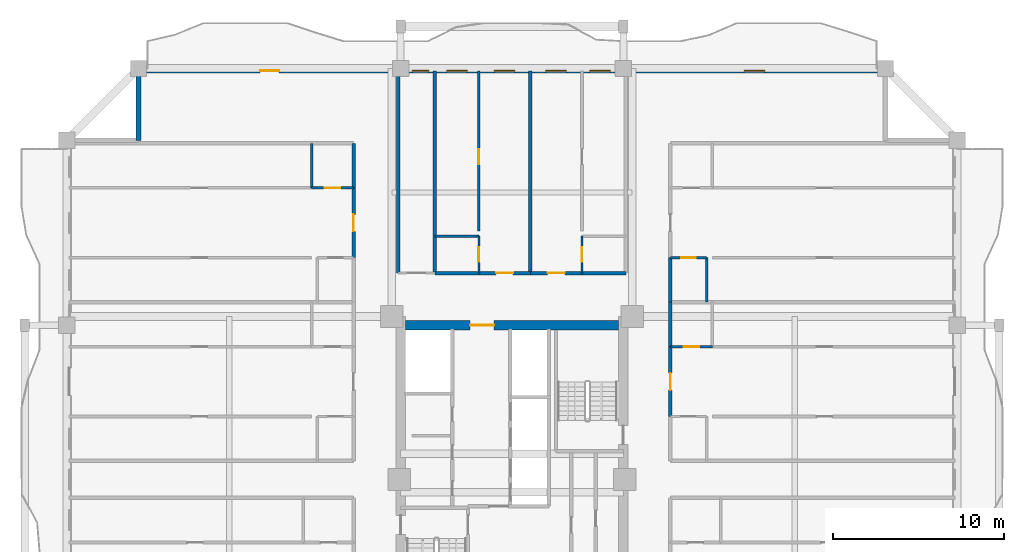
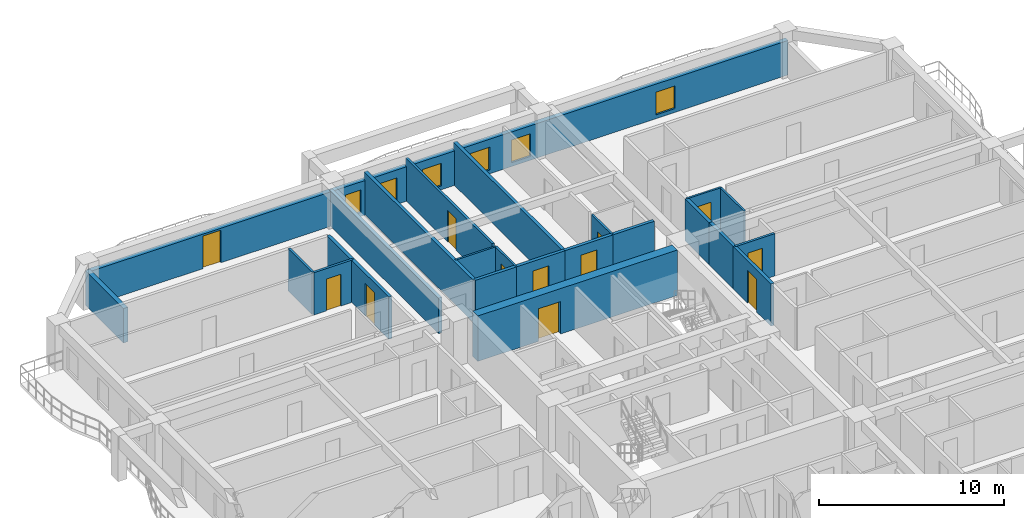
# One storey, part 7 of 13: 24 walls, 12 doors, 6 windows, 18 openings.
"""IFC4 building model written with IfcOpenShell, lengths in metres."""

from ifc_helpers import new_model, si_unit, direction, frame, frame_2d, origin, place, context, subcontext, project, spatial, rectangle, extrude, source, transform, mapped, material, layer, layer_set, type_object, element, fill, save


model = new_model("IFC4")

# Units and contexts
model_context = context("Model", 3, precision=1e-05, world=origin(), true_north=direction((0.0, 1.0)))
body_context = subcontext(model_context, "Body", "Model", "MODEL_VIEW")
ifc_project = project(units=[si_unit("LENGTHUNIT", "METRE"), si_unit("AREAUNIT", "SQUARE_METRE"), si_unit("VOLUMEUNIT", "CUBIC_METRE"), si_unit("PLANEANGLEUNIT", "RADIAN"), si_unit("MASSUNIT", "GRAM", prefix="KILO")], contexts=[model_context])

# Site, building, storey
site_placement = place(None, origin())
site = spatial("IfcSite", under=ifc_project, at=site_placement, CompositionType="ELEMENT")
building_placement = place(site_placement, origin())
building = spatial("IfcBuilding", under=site, at=building_placement, Name="Saelheon Loggia Tower", CompositionType="ELEMENT")
storey_placement = place(building_placement, frame((0.0, 0.0, 110.85009765625)))
storey = spatial("IfcBuildingStorey", under=building, at=storey_placement, Name="L35", CompositionType="ELEMENT", Elevation=110.85009765625)

# Wall, opening, door
ifc_material_1 = material(Name="Concrete C50/60", Category="concrete")
ifc_layer_1 = layer(ifc_material_1, 0.550048828125)
ifc_layer_set_1 = layer_set([ifc_layer_1], Name="Concrete C50/60")
wall_type_1 = type_object("IfcWallType", Name="Wall_CoreShear_550", PredefinedType="SHEAR", material=ifc_layer_set_1)
wall_1_placement = place(storey_placement, frame((31.77490234375, 36.0, 0.0), z_axis=(0.0, 0.0, 1.0), x_axis=(1.0, 0.0, 0.0)))
wall_1 = element("IfcWall", 1, at=wall_1_placement, inside=storey, type_object=wall_type_1, Name="L35 Core Shear Wall North", PredefinedType="SHEAR", context=body_context, shape_type="SweptSolid", body=[
    extrude(rectangle(XDim=12.4501953125, YDim=0.550048828125, at=frame_2d((6.22509765625, 0.0))), origin(), (0.0, 0.0, 1.0), 3.0),
])
opening_1_placement = place(wall_1_placement, frame((5.1748046875, 0.0, 0.0), z_axis=(0.0, 0.0, 1.0), x_axis=(-1.0, 0.0, 0.0)))
opening_1 = element("IfcOpeningElement", 2, at=opening_1_placement, cuts=wall_1, Name="Opening D-FD2L", PredefinedType="OPENING", context=body_context, shape_type="SweptSolid", body=[
    extrude(rectangle(XDim=1.39990234375, YDim=2.14990234375, at=frame_2d((0.699951171875, 1.074951171875))), frame((0.0, 0.287109375, 0.0), z_axis=(0.0, -1.0, 0.0), x_axis=(1.0, 0.0, 0.0)), (0.0, 0.0, 1.0), 0.573974609375),
])
ifc_material_2 = material(Name="Galvanised Steel Glazed Lobby Fire Door", Category="steel")
door_type_1 = type_object("IfcDoorType", Name="Door_Fire_FD60_1400", OperationType="NOTDEFINED", PredefinedType="DOOR", material=ifc_material_2)
shared_shape_1 = source(origin(), body_context, "Body", "SweptSolid", [
    extrude(rectangle(XDim=1.39990234375, YDim=2.14990234375, at=frame_2d((0.699951171875, 1.074951171875))), frame((0.0, 0.02490234375, 0.0), z_axis=(0.0, -1.0, 0.0), x_axis=(1.0, 0.0, 0.0)), (0.0, 0.0, 1.0), 0.050048828125),
])
door_1_placement = place(opening_1_placement, origin())
door_1 = element("IfcDoor", 3, at=door_1_placement, inside=storey, type_object=door_type_1, Name="L35 Passenger Lift Lobby Main Door", OperationType="SINGLE_SWING_RIGHT", OverallHeight=2.14990234375, OverallWidth=1.39990234375, PredefinedType="DOOR", context=body_context, shape_type="MappedRepresentation", body=[
    mapped(shared_shape_1, transform((0.0, 0.0, 0.0), scale=1.0)),
])
fill(opening_1, door_1)

# Wall, openings, windows, door
ifc_material_3 = material(Name="Architectural Precast Concrete C40/50", Category="concrete")
ifc_layer_2 = layer(ifc_material_3, 0.280029296875)
ifc_layer_set_2 = layer_set([ifc_layer_2], Name="Architectural Precast Concrete C40/50")
wall_type_2 = type_object("IfcWallType", Name="Wall_Ext_Loggia_280", PredefinedType="SOLIDWALL", material=ifc_layer_set_2)
wall_2_placement = place(storey_placement, frame((16.199951171875, 50.860107421875, 0.0), z_axis=(0.0, 0.0, 1.0), x_axis=(1.0, 0.0, 0.0)))
wall_2 = element("IfcWall", 4, at=wall_2_placement, inside=storey, type_object=wall_type_2, Name="L35 North Loggia Inner Wall", PredefinedType="SOLIDWALL", context=body_context, shape_type="SweptSolid", body=[
    extrude(rectangle(XDim=43.60009765625, YDim=0.280029296875, at=frame_2d((21.800048828125, 0.0))), origin(), (0.0, 0.0, 1.0), 2.27978515625),
])
opening_2_placement = place(wall_2_placement, frame((7.10009765625, 0.0, 0.0)))
opening_2 = element("IfcOpeningElement", 5, at=opening_2_placement, cuts=wall_2, Name="Opening TD1", PredefinedType="OPENING", context=body_context, shape_type="SweptSolid", body=[
    extrude(rectangle(XDim=1.10009765625, YDim=2.14990234375, at=frame_2d((0.550048828125, 1.074951171875))), frame((0.0, 0.152099609375, 0.0), z_axis=(0.0, -1.0, 0.0), x_axis=(1.0, 0.0, 0.0)), (0.0, 0.0, 1.0), 0.303955078125),
])
opening_3_placement = place(wall_2_placement, frame((15.982421875, 0.0, 0.25)))
opening_3 = element("IfcOpeningElement", 6, at=opening_3_placement, cuts=wall_2, Name="Opening WN-04", PredefinedType="OPENING", context=body_context, shape_type="SweptSolid", body=[
    extrude(rectangle(XDim=0.949951171875, YDim=1.5, at=frame_2d((0.47509765625, 0.75))), frame((0.0, 0.152099609375, 0.0), z_axis=(0.0, -1.0, 0.0), x_axis=(1.0, 0.0, 0.0)), (0.0, 0.0, 1.0), 0.303955078125),
])
opening_4_placement = place(wall_2_placement, frame((17.982421875, 0.0, 0.25)))
opening_4 = element("IfcOpeningElement", 7, at=opening_4_placement, cuts=wall_2, Name="Opening WN-03", PredefinedType="OPENING", context=body_context, shape_type="SweptSolid", body=[
    extrude(rectangle(XDim=1.199951171875, YDim=1.5, at=frame_2d((0.60009765625, 0.75))), frame((0.0, 0.152099609375, 0.0), z_axis=(0.0, -1.0, 0.0), x_axis=(1.0, 0.0, 0.0)), (0.0, 0.0, 1.0), 0.303955078125),
])
opening_5_placement = place(wall_2_placement, frame((20.769775390625, 0.0, 0.25)))
opening_5 = element("IfcOpeningElement", 8, at=opening_5_placement, cuts=wall_2, Name="Opening WN-03", PredefinedType="OPENING", context=body_context, shape_type="SweptSolid", body=[
    extrude(rectangle(XDim=1.199951171875, YDim=1.5, at=frame_2d((0.60009765625, 0.75))), frame((0.0, 0.152099609375, 0.0), z_axis=(0.0, -1.0, 0.0), x_axis=(1.0, 0.0, 0.0)), (0.0, 0.0, 1.0), 0.303955078125),
])
opening_6_placement = place(wall_2_placement, frame((23.7802734375, 0.0, 0.25)))
opening_6 = element("IfcOpeningElement", 9, at=opening_6_placement, cuts=wall_2, Name="Opening WN-03", PredefinedType="OPENING", context=body_context, shape_type="SweptSolid", body=[
    extrude(rectangle(XDim=1.199951171875, YDim=1.5, at=frame_2d((0.60009765625, 0.75))), frame((0.0, 0.152099609375, 0.0), z_axis=(0.0, -1.0, 0.0), x_axis=(1.0, 0.0, 0.0)), (0.0, 0.0, 1.0), 0.303955078125),
])
opening_7_placement = place(wall_2_placement, frame((26.335205078125, 0.0, 0.25)))
opening_7 = element("IfcOpeningElement", 10, at=opening_7_placement, cuts=wall_2, Name="Opening WN-03", PredefinedType="OPENING", context=body_context, shape_type="SweptSolid", body=[
    extrude(rectangle(XDim=1.199951171875, YDim=1.5, at=frame_2d((0.60009765625, 0.75))), frame((0.0, 0.152099609375, 0.0), z_axis=(0.0, -1.0, 0.0), x_axis=(1.0, 0.0, 0.0)), (0.0, 0.0, 1.0), 0.303955078125),
])
opening_8_placement = place(wall_2_placement, frame((35.35009765625, 0.0, 0.25)))
opening_8 = element("IfcOpeningElement", 11, at=opening_8_placement, cuts=wall_2, Name="Opening WN-03", PredefinedType="OPENING", context=body_context, shape_type="SweptSolid", body=[
    extrude(rectangle(XDim=1.199951171875, YDim=1.5, at=frame_2d((0.60009765625, 0.75))), frame((0.0, 0.152099609375, 0.0), z_axis=(0.0, -1.0, 0.0), x_axis=(1.0, 0.0, 0.0)), (0.0, 0.0, 1.0), 0.303955078125),
])
ifc_material_4 = material(Name="Thermal-Break Aluminium and Triple Low-E Glass", Category="aluminium")
window_type_1 = type_object("IfcWindowType", Name="Win_Bedroom_1200x1500", PartitioningType="SINGLE_PANEL", PredefinedType="WINDOW", material=ifc_material_4)
shared_shape_2 = source(origin(), body_context, "Body", "SweptSolid", [
    extrude(rectangle(XDim=1.199951171875, YDim=1.5, at=frame_2d((0.60009765625, 0.75))), frame((0.0, 0.030029296875, 0.0), z_axis=(0.0, -1.0, 0.0), x_axis=(1.0, 0.0, 0.0)), (0.0, 0.0, 1.0), 0.06005859375),
])
window_1_placement = place(opening_4_placement, origin())
window_1 = element("IfcWindow", 12, at=window_1_placement, inside=storey, type_object=window_type_1, Name="L35 N Dwelling Window 3", OverallHeight=1.5, OverallWidth=1.199951171875, PartitioningType="SINGLE_PANEL", PredefinedType="WINDOW", context=body_context, shape_type="MappedRepresentation", body=[
    mapped(shared_shape_2, transform((0.0, 0.0, 0.0), scale=1.0)),
])
fill(opening_4, window_1)
window_2_placement = place(opening_5_placement, origin())
window_2 = element("IfcWindow", 13, at=window_2_placement, inside=storey, type_object=window_type_1, Name="L35 N Dwelling Window 4", OverallHeight=1.5, OverallWidth=1.199951171875, PartitioningType="SINGLE_PANEL", PredefinedType="WINDOW", context=body_context, shape_type="MappedRepresentation", body=[
    mapped(shared_shape_2, transform((0.0, 0.0, 0.0), scale=1.0)),
])
fill(opening_5, window_2)
window_3_placement = place(opening_6_placement, origin())
window_3 = element("IfcWindow", 14, at=window_3_placement, inside=storey, type_object=window_type_1, Name="L35 N Dwelling Window 5", OverallHeight=1.5, OverallWidth=1.199951171875, PartitioningType="SINGLE_PANEL", PredefinedType="WINDOW", context=body_context, shape_type="MappedRepresentation", body=[
    mapped(shared_shape_2, transform((0.0, 0.0, 0.0), scale=1.0)),
])
fill(opening_6, window_3)
window_4_placement = place(opening_7_placement, origin())
window_4 = element("IfcWindow", 15, at=window_4_placement, inside=storey, type_object=window_type_1, Name="L35 N Dwelling Window 6", OverallHeight=1.5, OverallWidth=1.199951171875, PartitioningType="SINGLE_PANEL", PredefinedType="WINDOW", context=body_context, shape_type="MappedRepresentation", body=[
    mapped(shared_shape_2, transform((0.0, 0.0, 0.0), scale=1.0)),
])
fill(opening_7, window_4)
window_5_placement = place(opening_8_placement, origin())
window_5 = element("IfcWindow", 16, at=window_5_placement, inside=storey, type_object=window_type_1, Name="L35 N Dwelling Window 7", OverallHeight=1.5, OverallWidth=1.199951171875, PartitioningType="SINGLE_PANEL", PredefinedType="WINDOW", context=body_context, shape_type="MappedRepresentation", body=[
    mapped(shared_shape_2, transform((0.0, 0.0, 0.0), scale=1.0)),
])
fill(opening_8, window_5)
ifc_material_5 = material(Name="Thermal-Break Aluminium Glazed Door", Category="aluminium")
door_type_2 = type_object("IfcDoorType", Name="Door_Terrace_TD1", OperationType="NOTDEFINED", PredefinedType="DOOR", material=ifc_material_5)
shared_shape_3 = source(origin(), body_context, "Body", "SweptSolid", [
    extrude(rectangle(XDim=1.10009765625, YDim=2.14990234375, at=frame_2d((0.550048828125, 1.074951171875))), frame((0.0, 0.02490234375, 0.0), z_axis=(0.0, -1.0, 0.0), x_axis=(1.0, 0.0, 0.0)), (0.0, 0.0, 1.0), 0.050048828125),
])
door_2_placement = place(opening_2_placement, origin())
door_2 = element("IfcDoor", 17, at=door_2_placement, inside=storey, type_object=door_type_2, Name="L35 N Loggia Access Door", OperationType="SINGLE_SWING_LEFT", OverallHeight=2.14990234375, OverallWidth=1.10009765625, PredefinedType="DOOR", context=body_context, shape_type="MappedRepresentation", body=[
    mapped(shared_shape_3, transform((0.0, 0.0, 0.0), scale=1.0)),
])
fill(opening_2, door_2)
window_type_2 = type_object("IfcWindowType", Name="Win_Narrow_950x1500", PartitioningType="SINGLE_PANEL", PredefinedType="WINDOW", material=ifc_material_4)
shared_shape_4 = source(origin(), body_context, "Body", "SweptSolid", [
    extrude(rectangle(XDim=0.949951171875, YDim=1.5, at=frame_2d((0.47509765625, 0.75))), frame((0.0, 0.030029296875, 0.0), z_axis=(0.0, -1.0, 0.0), x_axis=(1.0, 0.0, 0.0)), (0.0, 0.0, 1.0), 0.06005859375),
])
window_6_placement = place(opening_3_placement, origin())
window_6 = element("IfcWindow", 18, at=window_6_placement, inside=storey, type_object=window_type_2, Name="L35 N Dwelling Window 2", OverallHeight=1.5, OverallWidth=0.949951171875, PartitioningType="SINGLE_PANEL", PredefinedType="WINDOW", context=body_context, shape_type="MappedRepresentation", body=[
    mapped(shared_shape_4, transform((0.0, 0.0, 0.0), scale=1.0)),
])
fill(opening_3, window_6)

# Wall
wall_3_placement = place(storey_placement, frame((16.199951171875, 46.800048828125, 0.0), z_axis=(0.0, 0.0, 1.0), x_axis=(0.0, 1.0, 0.0)))
element("IfcWall", 19, at=wall_3_placement, inside=storey, type_object=wall_type_2, Name="L35 Corner Notch Precast Wall NW1", PredefinedType="SOLIDWALL", context=body_context, shape_type="SweptSolid", body=[
    extrude(rectangle(XDim=4.119873046875, YDim=0.280029296875, at=frame_2d((2.06005859375, 0.0))), origin(), (0.0, 0.0, 1.0), 2.27978515625),
])

# Wall, opening, door
ifc_material_6 = material(Name="Lightweight Autoclaved Aerated Concrete Block and Acoustic Gypsum", Category="concrete")
ifc_layer_3 = layer(ifc_material_6, 0.14990234375)
ifc_layer_set_3 = layer_set([ifc_layer_3], Name="Lightweight Autoclaved Aerated Concrete Block and Acoustic Gypsum")
wall_type_3 = type_object("IfcWallType", Name="Wall_Part_150", PredefinedType="PARTITIONING", material=ifc_layer_set_3)
wall_4_placement = place(storey_placement, frame((36.064453125, 41.5, 0.0), z_axis=(0.0, 0.0, 1.0), x_axis=(0.0, 1.0, 0.0)))
wall_4 = element("IfcWall", 20, at=wall_4_placement, inside=storey, type_object=wall_type_3, Name="L35 N Partition U09", PredefinedType="PARTITIONING", context=body_context, shape_type="SweptSolid", body=[
    extrude(rectangle(XDim=9.35009765625, YDim=0.14990234375, at=frame_2d((4.675048828125, 0.0))), origin(), (0.0, 0.0, 1.0), 2.789794921875),
])
opening_9_placement = place(wall_4_placement, frame((3.892822265625, 0.0, 0.0)))
opening_9 = element("IfcOpeningElement", 21, at=opening_9_placement, cuts=wall_4, Name="Opening D-IN2", PredefinedType="OPENING", context=body_context, shape_type="SweptSolid", body=[
    extrude(rectangle(XDim=0.89990234375, YDim=2.10009765625, at=frame_2d((0.449951171875, 1.050048828125))), frame((0.0, 0.0869140625, 0.0), z_axis=(0.0, -1.0, 0.0), x_axis=(1.0, 0.0, 0.0)), (0.0, 0.0, 1.0), 0.173828125),
])
ifc_material_7 = material(Name="Engineered Oak Flush Door", Category="timber")
door_type_3 = type_object("IfcDoorType", Name="Door_Int_900", OperationType="NOTDEFINED", PredefinedType="DOOR", material=ifc_material_7)
shared_shape_5 = source(origin(), body_context, "Body", "SweptSolid", [
    extrude(rectangle(XDim=0.89990234375, YDim=2.10009765625, at=frame_2d((0.449951171875, 1.050048828125))), frame((0.0, 0.02490234375, 0.0), z_axis=(0.0, -1.0, 0.0), x_axis=(1.0, 0.0, 0.0)), (0.0, 0.0, 1.0), 0.050048828125),
])
door_3_placement = place(opening_9_placement, origin())
door_3 = element("IfcDoor", 22, at=door_3_placement, inside=storey, type_object=door_type_3, Name="Unit U04 Kitchen Door", OperationType="SINGLE_SWING_RIGHT", OverallHeight=2.10009765625, OverallWidth=0.89990234375, PredefinedType="DOOR", context=body_context, shape_type="MappedRepresentation", body=[
    mapped(shared_shape_5, transform((0.0, 0.0, 0.0), scale=1.0)),
])
fill(opening_9, door_3)

# Wall
wall_5_placement = place(storey_placement, frame((26.300048828125, 44.02001953125, 0.0), z_axis=(0.0, 0.0, 1.0), x_axis=(0.0, 1.0, 0.0)))
element("IfcWall", 23, at=wall_5_placement, inside=storey, type_object=wall_type_3, Name="L35 WN Partition V17", PredefinedType="PARTITIONING", context=body_context, shape_type="SweptSolid", body=[
    extrude(rectangle(XDim=2.60009765625, YDim=0.14990234375, at=frame_2d((1.300048828125, 0.0))), origin(), (0.0, 0.0, 1.0), 2.789794921875),
])

# Wall, opening, door
wall_6_placement = place(storey_placement, frame((28.75, 44.02001953125, 0.0), z_axis=(0.0, 0.0, 1.0), x_axis=(-1.0, 0.0, 0.0)))
wall_6 = element("IfcWall", 24, at=wall_6_placement, inside=storey, type_object=wall_type_3, Name="L35 WN Partition U20", PredefinedType="PARTITIONING", context=body_context, shape_type="SweptSolid", body=[
    extrude(rectangle(XDim=2.449951171875, YDim=0.14990234375, at=frame_2d((1.22509765625, 0.0))), origin(), (0.0, 0.0, 1.0), 2.789794921875),
])
opening_10_placement = place(wall_6_placement, frame((0.77490234375, 0.0, 0.0)))
opening_10 = element("IfcOpeningElement", 25, at=opening_10_placement, cuts=wall_6, Name="Opening D-IN2", PredefinedType="OPENING", context=body_context, shape_type="SweptSolid", body=[
    extrude(rectangle(XDim=0.89990234375, YDim=2.10009765625, at=frame_2d((0.449951171875, 1.050048828125))), frame((0.0, 0.0869140625, 0.0), z_axis=(0.0, -1.0, 0.0), x_axis=(1.0, 0.0, 0.0)), (0.0, 0.0, 1.0), 0.173828125),
])
door_4_placement = place(opening_10_placement, origin())
door_4 = element("IfcDoor", 26, at=door_4_placement, inside=storey, type_object=door_type_3, Name="Unit U09 Dressing Closet Door", OperationType="SINGLE_SWING_RIGHT", OverallHeight=2.10009765625, OverallWidth=0.89990234375, PredefinedType="DOOR", context=body_context, shape_type="MappedRepresentation", body=[
    mapped(shared_shape_5, transform((0.0, 0.0, 0.0), scale=1.0)),
])
fill(opening_10, door_4)

wall_7_placement = place(storey_placement, frame((47.25, 34.75, 0.0), z_axis=(0.0, 0.0, 1.0), x_axis=(1.0, 0.0, 0.0)))
wall_7 = element("IfcWall", 27, at=wall_7_placement, inside=storey, type_object=wall_type_3, Name="L35 EN Partition U10", PredefinedType="PARTITIONING", context=body_context, shape_type="SweptSolid", body=[
    extrude(rectangle(XDim=2.449951171875, YDim=0.14990234375, at=frame_2d((1.22509765625, 0.0))), origin(), (0.0, 0.0, 1.0), 2.789794921875),
])
opening_11_placement = place(wall_7_placement, frame((0.77490234375, 0.0, 0.0)))
opening_11 = element("IfcOpeningElement", 28, at=opening_11_placement, cuts=wall_7, Name="Opening D-IN2", PredefinedType="OPENING", context=body_context, shape_type="SweptSolid", body=[
    extrude(rectangle(XDim=0.89990234375, YDim=2.10009765625, at=frame_2d((0.449951171875, 1.050048828125))), frame((0.0, 0.0869140625, 0.0), z_axis=(0.0, -1.0, 0.0), x_axis=(1.0, 0.0, 0.0)), (0.0, 0.0, 1.0), 0.173828125),
])
door_5_placement = place(opening_11_placement, origin())
door_5 = element("IfcDoor", 29, at=door_5_placement, inside=storey, type_object=door_type_3, Name="Unit U12 Dressing Closet Door", OperationType="SINGLE_SWING_LEFT", OverallHeight=2.10009765625, OverallWidth=0.89990234375, PredefinedType="DOOR", context=body_context, shape_type="MappedRepresentation", body=[
    mapped(shared_shape_5, transform((0.0, 0.0, 0.0), scale=1.0)),
])
fill(opening_11, door_5)

# Walls
ifc_material_8 = material(Name="Double Acoustic Stud and Fireboard Partition", Category="gypsum")
ifc_layer_4 = layer(ifc_material_8, 0.199951171875)
ifc_layer_set_4 = layer_set([ifc_layer_4], Name="Double Acoustic Stud and Fireboard Partition")
wall_type_4 = type_object("IfcWallType", Name="Wall_Party_200", PredefinedType="PARTITIONING", material=ifc_layer_set_4)
wall_8_placement = place(storey_placement, frame((31.35009765625, 39.050048828125, 0.0), z_axis=(0.0, 0.0, 1.0), x_axis=(0.0, 1.0, 0.0)))
element("IfcWall", 30, at=wall_8_placement, inside=storey, type_object=wall_type_4, Name="L35 N Partition U01", PredefinedType="PARTITIONING", context=body_context, shape_type="SweptSolid", body=[
    extrude(rectangle(XDim=11.800048828125, YDim=0.199951171875, at=frame_2d((5.89990234375, 0.0))), origin(), (0.0, 0.0, 1.0), 2.33984375),
])
wall_9_placement = place(storey_placement, frame((33.5, 39.050048828125, 0.0), z_axis=(0.0, 0.0, 1.0), x_axis=(0.0, 1.0, 0.0)))
element("IfcWall", 31, at=wall_9_placement, inside=storey, type_object=wall_type_4, Name="L35 N Partition U03", PredefinedType="PARTITIONING", context=body_context, shape_type="SweptSolid", body=[
    extrude(rectangle(XDim=11.800048828125, YDim=0.199951171875, at=frame_2d((5.89990234375, 0.0))), origin(), (0.0, 0.0, 1.0), 2.789794921875),
])
wall_10_placement = place(storey_placement, frame((33.5, 39.050048828125, 0.0), z_axis=(0.0, 0.0, 1.0), x_axis=(1.0, 0.0, 0.0)))
element("IfcWall", 32, at=wall_10_placement, inside=storey, type_object=wall_type_4, Name="L35 N Partition V05", PredefinedType="PARTITIONING", context=body_context, shape_type="SweptSolid", body=[
    extrude(rectangle(XDim=2.564453125, YDim=0.199951171875, at=frame_2d((1.2822265625, 0.0))), origin(), (0.0, 0.0, 1.0), 2.789794921875),
])

# Wall, opening, door
wall_11_placement = place(storey_placement, frame((36.064453125, 39.050048828125, 0.0), z_axis=(0.0, 0.0, 1.0), x_axis=(1.0, 0.0, 0.0)))
wall_11 = element("IfcWall", 33, at=wall_11_placement, inside=storey, type_object=wall_type_4, Name="L35 N Partition V06", PredefinedType="PARTITIONING", context=body_context, shape_type="SweptSolid", body=[
    extrude(rectangle(XDim=3.010498046875, YDim=0.199951171875, at=frame_2d((1.50537109375, 0.0))), origin(), (0.0, 0.0, 1.0), 2.789794921875),
])
opening_12_placement = place(wall_11_placement, frame((1.00537109375, 0.0, 0.0)))
opening_12 = element("IfcOpeningElement", 34, at=opening_12_placement, cuts=wall_11, Name="Opening D-FD1", PredefinedType="OPENING", context=body_context, shape_type="SweptSolid", body=[
    extrude(rectangle(XDim=1.0, YDim=2.14990234375, at=frame_2d((0.5, 1.074951171875))), frame((0.0, 0.112060546875, 0.0), z_axis=(0.0, -1.0, 0.0), x_axis=(1.0, 0.0, 0.0)), (0.0, 0.0, 1.0), 0.223876953125),
])
ifc_material_9 = material(Name="Fire-Rated Engineered Timber Entrance Door", Category="wood")
door_type_4 = type_object("IfcDoorType", Name="Door_Flat_FD30S", OperationType="NOTDEFINED", PredefinedType="DOOR", material=ifc_material_9)
shared_shape_6 = source(origin(), body_context, "Body", "SweptSolid", [
    extrude(rectangle(XDim=1.0, YDim=2.14990234375, at=frame_2d((0.5, 1.074951171875))), frame((0.0, 0.02490234375, 0.0), z_axis=(0.0, -1.0, 0.0), x_axis=(1.0, 0.0, 0.0)), (0.0, 0.0, 1.0), 0.050048828125),
])
door_6_placement = place(opening_12_placement, origin())
door_6 = element("IfcDoor", 35, at=door_6_placement, inside=storey, type_object=door_type_4, Name="Unit U04 Entrance Door", OperationType="SINGLE_SWING_RIGHT", OverallHeight=2.14990234375, OverallWidth=1.0, PredefinedType="DOOR", context=body_context, shape_type="MappedRepresentation", body=[
    mapped(shared_shape_6, transform((0.0, 0.0, 0.0), scale=1.0)),
])
fill(opening_12, door_6)

# Wall
wall_12_placement = place(storey_placement, frame((39.074951171875, 39.050048828125, 0.0), z_axis=(0.0, 0.0, 1.0), x_axis=(0.0, 1.0, 0.0)))
element("IfcWall", 36, at=wall_12_placement, inside=storey, type_object=wall_type_4, Name="L35 N Partition U10", PredefinedType="PARTITIONING", context=body_context, shape_type="SweptSolid", body=[
    extrude(rectangle(XDim=11.800048828125, YDim=0.199951171875, at=frame_2d((5.89990234375, 0.0))), origin(), (0.0, 0.0, 1.0), 2.789794921875),
])

# Wall, opening, door
wall_13_placement = place(storey_placement, frame((39.074951171875, 39.050048828125, 0.0), z_axis=(0.0, 0.0, 1.0), x_axis=(1.0, 0.0, 0.0)))
wall_13 = element("IfcWall", 37, at=wall_13_placement, inside=storey, type_object=wall_type_4, Name="L35 N Partition V11", PredefinedType="PARTITIONING", context=body_context, shape_type="SweptSolid", body=[
    extrude(rectangle(XDim=3.010498046875, YDim=0.199951171875, at=frame_2d((1.50537109375, 0.0))), origin(), (0.0, 0.0, 1.0), 2.789794921875),
])
opening_13_placement = place(wall_13_placement, frame((1.00537109375, 0.0, 0.0)))
opening_13 = element("IfcOpeningElement", 38, at=opening_13_placement, cuts=wall_13, Name="Opening D-FD1", PredefinedType="OPENING", context=body_context, shape_type="SweptSolid", body=[
    extrude(rectangle(XDim=1.0, YDim=2.14990234375, at=frame_2d((0.5, 1.074951171875))), frame((0.0, 0.112060546875, 0.0), z_axis=(0.0, -1.0, 0.0), x_axis=(1.0, 0.0, 0.0)), (0.0, 0.0, 1.0), 0.223876953125),
])
door_7_placement = place(opening_13_placement, origin())
door_7 = element("IfcDoor", 39, at=door_7_placement, inside=storey, type_object=door_type_4, Name="Unit U05 Entrance Door", OperationType="SINGLE_SWING_LEFT", OverallHeight=2.14990234375, OverallWidth=1.0, PredefinedType="DOOR", context=body_context, shape_type="MappedRepresentation", body=[
    mapped(shared_shape_6, transform((0.0, 0.0, 0.0), scale=1.0)),
])
fill(opening_13, door_7)

# Wall
wall_14_placement = place(storey_placement, frame((42.08544921875, 39.050048828125, 0.0), z_axis=(0.0, 0.0, 1.0), x_axis=(1.0, 0.0, 0.0)))
element("IfcWall", 40, at=wall_14_placement, inside=storey, type_object=wall_type_4, Name="L35 N Partition V12", PredefinedType="PARTITIONING", context=body_context, shape_type="SweptSolid", body=[
    extrude(rectangle(XDim=2.564453125, YDim=0.199951171875, at=frame_2d((1.2822265625, 0.0))), origin(), (0.0, 0.0, 1.0), 2.789794921875),
])

# Wall, opening, door
wall_15_placement = place(storey_placement, frame((28.75, 39.945556640625, 0.0), z_axis=(0.0, 0.0, 1.0), x_axis=(0.0, 1.0, 0.0)))
wall_15 = element("IfcWall", 41, at=wall_15_placement, inside=storey, type_object=wall_type_4, Name="L35 WN Partition V14", PredefinedType="PARTITIONING", context=body_context, shape_type="SweptSolid", body=[
    extrude(rectangle(XDim=4.074462890625, YDim=0.199951171875, at=frame_2d((2.037109375, 0.0))), origin(), (0.0, 0.0, 1.0), 2.789794921875),
])
opening_14_placement = place(wall_15_placement, frame((1.537109375, 0.0, 0.0)))
opening_14 = element("IfcOpeningElement", 42, at=opening_14_placement, cuts=wall_15, Name="Opening D-FD1", PredefinedType="OPENING", context=body_context, shape_type="SweptSolid", body=[
    extrude(rectangle(XDim=1.0, YDim=2.14990234375, at=frame_2d((0.5, 1.074951171875))), frame((0.0, 0.112060546875, 0.0), z_axis=(0.0, -1.0, 0.0), x_axis=(1.0, 0.0, 0.0)), (0.0, 0.0, 1.0), 0.223876953125),
])
door_8_placement = place(opening_14_placement, origin())
door_8 = element("IfcDoor", 43, at=door_8_placement, inside=storey, type_object=door_type_4, Name="Unit U09 Entrance Door", OperationType="SINGLE_SWING_LEFT", OverallHeight=2.14990234375, OverallWidth=1.0, PredefinedType="DOOR", context=body_context, shape_type="MappedRepresentation", body=[
    mapped(shared_shape_6, transform((0.0, 0.0, 0.0), scale=1.0)),
])
fill(opening_14, door_8)

# Wall
wall_16_placement = place(storey_placement, frame((28.75, 44.02001953125, 0.0), z_axis=(0.0, 0.0, 1.0), x_axis=(0.0, 1.0, 0.0)))
element("IfcWall", 44, at=wall_16_placement, inside=storey, type_object=wall_type_4, Name="L35 WN Partition V15", PredefinedType="PARTITIONING", context=body_context, shape_type="SweptSolid", body=[
    extrude(rectangle(XDim=2.60009765625, YDim=0.199951171875, at=frame_2d((1.300048828125, 0.0))), origin(), (0.0, 0.0, 1.0), 2.789794921875),
])

# Wall, opening, door
wall_17_placement = place(storey_placement, frame((47.25, 30.675537109375, 0.0), z_axis=(0.0, 0.0, 1.0), x_axis=(0.0, 1.0, 0.0)))
wall_17 = element("IfcWall", 45, at=wall_17_placement, inside=storey, type_object=wall_type_4, Name="L35 EN Partition V04", PredefinedType="PARTITIONING", context=body_context, shape_type="SweptSolid", body=[
    extrude(rectangle(XDim=4.074462890625, YDim=0.199951171875, at=frame_2d((2.037109375, 0.0))), origin(), (0.0, 0.0, 1.0), 2.789794921875),
])
opening_15_placement = place(wall_17_placement, frame((1.537109375, 0.0, 0.0)))
opening_15 = element("IfcOpeningElement", 46, at=opening_15_placement, cuts=wall_17, Name="Opening D-FD1", PredefinedType="OPENING", context=body_context, shape_type="SweptSolid", body=[
    extrude(rectangle(XDim=1.0, YDim=2.14990234375, at=frame_2d((0.5, 1.074951171875))), frame((0.0, 0.112060546875, 0.0), z_axis=(0.0, -1.0, 0.0), x_axis=(1.0, 0.0, 0.0)), (0.0, 0.0, 1.0), 0.223876953125),
])
door_9_placement = place(opening_15_placement, origin())
door_9 = element("IfcDoor", 47, at=door_9_placement, inside=storey, type_object=door_type_4, Name="Unit U12 Entrance Door", OperationType="SINGLE_SWING_RIGHT", OverallHeight=2.14990234375, OverallWidth=1.0, PredefinedType="DOOR", context=body_context, shape_type="MappedRepresentation", body=[
    mapped(shared_shape_6, transform((0.0, 0.0, 0.0), scale=1.0)),
])
fill(opening_15, door_9)

# Walls
wall_18_placement = place(storey_placement, frame((47.25, 34.75, 0.0), z_axis=(0.0, 0.0, 1.0), x_axis=(0.0, 1.0, 0.0)))
element("IfcWall", 48, at=wall_18_placement, inside=storey, type_object=wall_type_4, Name="L35 EN Partition V05", PredefinedType="PARTITIONING", context=body_context, shape_type="SweptSolid", body=[
    extrude(rectangle(XDim=2.60009765625, YDim=0.199951171875, at=frame_2d((1.300048828125, 0.0))), origin(), (0.0, 0.0, 1.0), 2.789794921875),
])
wall_19_placement = place(storey_placement, frame((47.25, 37.35009765625, 0.0), z_axis=(0.0, 0.0, 1.0), x_axis=(0.0, 1.0, 0.0)))
element("IfcWall", 49, at=wall_19_placement, inside=storey, type_object=wall_type_4, Name="L35 EN Partition V13", PredefinedType="PARTITIONING", context=body_context, shape_type="SweptSolid", body=[
    extrude(rectangle(XDim=2.595458984375, YDim=0.199951171875, at=frame_2d((1.2978515625, 0.0))), origin(), (0.0, 0.0, 1.0), 2.789794921875),
])

# Wall, opening, door
ifc_material_10 = material(Name="Moisture-Resistant Cement Board Partition", Category="gypsum")
ifc_layer_5 = layer(ifc_material_10, 0.1201171875)
ifc_layer_set_5 = layer_set([ifc_layer_5], Name="Moisture-Resistant Cement Board Partition")
wall_type_5 = type_object("IfcWallType", Name="Wall_WetPart_120", PredefinedType="PARTITIONING", material=ifc_layer_set_5)
wall_20_placement = place(storey_placement, frame((36.064453125, 39.050048828125, 0.0), z_axis=(0.0, 0.0, 1.0), x_axis=(0.0, 1.0, 0.0)))
wall_20 = element("IfcWall", 50, at=wall_20_placement, inside=storey, type_object=wall_type_5, Name="L35 N Partition U07", PredefinedType="PARTITIONING", context=body_context, shape_type="SweptSolid", body=[
    extrude(rectangle(XDim=2.14990234375, YDim=0.1201171875, at=frame_2d((1.074951171875, 0.0))), origin(), (0.0, 0.0, 1.0), 2.789794921875),
])
opening_16_placement = place(wall_20_placement, frame((0.64990234375, 0.0, 0.0)))
opening_16 = element("IfcOpeningElement", 51, at=opening_16_placement, cuts=wall_20, Name="Opening D-BT1", PredefinedType="OPENING", context=body_context, shape_type="SweptSolid", body=[
    extrude(rectangle(XDim=0.85009765625, YDim=2.050048828125, at=frame_2d((0.425048828125, 1.02490234375))), frame((0.0, 0.072021484375, 0.0), z_axis=(0.0, -1.0, 0.0), x_axis=(1.0, 0.0, 0.0)), (0.0, 0.0, 1.0), 0.14404296875),
])
ifc_material_11 = material(Name="Moisture-Resistant Laminate Timber Door", Category="wood")
door_type_5 = type_object("IfcDoorType", Name="Door_Bath_850", OperationType="NOTDEFINED", PredefinedType="DOOR", material=ifc_material_11)
shared_shape_7 = source(origin(), body_context, "Body", "SweptSolid", [
    extrude(rectangle(XDim=0.85009765625, YDim=2.050048828125, at=frame_2d((0.425048828125, 1.02490234375))), frame((0.0, 0.02490234375, 0.0), z_axis=(0.0, -1.0, 0.0), x_axis=(1.0, 0.0, 0.0)), (0.0, 0.0, 1.0), 0.050048828125),
])
door_10_placement = place(opening_16_placement, origin())
door_10 = element("IfcDoor", 52, at=door_10_placement, inside=storey, type_object=door_type_5, Name="Unit U04 Bathroom Door", OperationType="SINGLE_SWING_LEFT", OverallHeight=2.050048828125, OverallWidth=0.85009765625, PredefinedType="DOOR", context=body_context, shape_type="MappedRepresentation", body=[
    mapped(shared_shape_7, transform((0.0, 0.0, 0.0), scale=1.0)),
])
fill(opening_16, door_10)

# Wall
wall_21_placement = place(storey_placement, frame((33.5, 41.199951171875, 0.0), z_axis=(0.0, 0.0, 1.0), x_axis=(1.0, 0.0, 0.0)))
element("IfcWall", 53, at=wall_21_placement, inside=storey, type_object=wall_type_5, Name="L35 N Partition V08", PredefinedType="PARTITIONING", context=body_context, shape_type="SweptSolid", body=[
    extrude(rectangle(XDim=2.564453125, YDim=0.1201171875, at=frame_2d((1.2822265625, 0.0))), origin(), (0.0, 0.0, 1.0), 2.789794921875),
])

# Wall, opening, door
wall_22_placement = place(storey_placement, frame((42.08544921875, 39.050048828125, 0.0), z_axis=(0.0, 0.0, 1.0), x_axis=(0.0, 1.0, 0.0)))
wall_22 = element("IfcWall", 54, at=wall_22_placement, inside=storey, type_object=wall_type_5, Name="L35 N Partition U13", PredefinedType="PARTITIONING", context=body_context, shape_type="SweptSolid", body=[
    extrude(rectangle(XDim=2.14990234375, YDim=0.1201171875, at=frame_2d((1.074951171875, 0.0))), origin(), (0.0, 0.0, 1.0), 2.789794921875),
])
opening_17_placement = place(wall_22_placement, frame((0.64990234375, 0.0, 0.0)))
opening_17 = element("IfcOpeningElement", 55, at=opening_17_placement, cuts=wall_22, Name="Opening D-BT1", PredefinedType="OPENING", context=body_context, shape_type="SweptSolid", body=[
    extrude(rectangle(XDim=0.85009765625, YDim=2.050048828125, at=frame_2d((0.425048828125, 1.02490234375))), frame((0.0, 0.072021484375, 0.0), z_axis=(0.0, -1.0, 0.0), x_axis=(1.0, 0.0, 0.0)), (0.0, 0.0, 1.0), 0.14404296875),
])
door_11_placement = place(opening_17_placement, origin())
door_11 = element("IfcDoor", 56, at=door_11_placement, inside=storey, type_object=door_type_5, Name="Unit U05 Bathroom Door", OperationType="SINGLE_SWING_RIGHT", OverallHeight=2.050048828125, OverallWidth=0.85009765625, PredefinedType="DOOR", context=body_context, shape_type="MappedRepresentation", body=[
    mapped(shared_shape_7, transform((0.0, 0.0, 0.0), scale=1.0)),
])
fill(opening_17, door_11)

# Wall
wall_23_placement = place(storey_placement, frame((49.3701171875, 37.35009765625, 0.0), z_axis=(0.0, 0.0, 1.0), x_axis=(0.0, 1.0, 0.0)))
element("IfcWall", 57, at=wall_23_placement, inside=storey, type_object=wall_type_5, Name="L35 EN Partition V16", PredefinedType="PARTITIONING", context=body_context, shape_type="SweptSolid", body=[
    extrude(rectangle(XDim=2.595458984375, YDim=0.1201171875, at=frame_2d((1.2978515625, 0.0))), origin(), (0.0, 0.0, 1.0), 2.789794921875),
])

# Wall, opening, door
wall_24_placement = place(storey_placement, frame((47.25, 39.945556640625, 0.0), z_axis=(0.0, 0.0, 1.0), x_axis=(1.0, 0.0, 0.0)))
wall_24 = element("IfcWall", 58, at=wall_24_placement, inside=storey, type_object=wall_type_5, Name="L35 EN Partition U18", PredefinedType="PARTITIONING", context=body_context, shape_type="SweptSolid", body=[
    extrude(rectangle(XDim=2.1201171875, YDim=0.1201171875, at=frame_2d((1.06005859375, 0.0))), origin(), (0.0, 0.0, 1.0), 2.789794921875),
])
opening_18_placement = place(wall_24_placement, frame((0.635009765625, 0.0, 0.0)))
opening_18 = element("IfcOpeningElement", 59, at=opening_18_placement, cuts=wall_24, Name="Opening D-BT1", PredefinedType="OPENING", context=body_context, shape_type="SweptSolid", body=[
    extrude(rectangle(XDim=0.85009765625, YDim=2.050048828125, at=frame_2d((0.425048828125, 1.02490234375))), frame((0.0, 0.072021484375, 0.0), z_axis=(0.0, -1.0, 0.0), x_axis=(1.0, 0.0, 0.0)), (0.0, 0.0, 1.0), 0.14404296875),
])
door_12_placement = place(opening_18_placement, origin())
door_12 = element("IfcDoor", 60, at=door_12_placement, inside=storey, type_object=door_type_5, Name="Unit U13 Bathroom Door", OperationType="SINGLE_SWING_RIGHT", OverallHeight=2.050048828125, OverallWidth=0.85009765625, PredefinedType="DOOR", context=body_context, shape_type="MappedRepresentation", body=[
    mapped(shared_shape_7, transform((0.0, 0.0, 0.0), scale=1.0)),
])
fill(opening_18, door_12)

save(model, "model.ifc")
